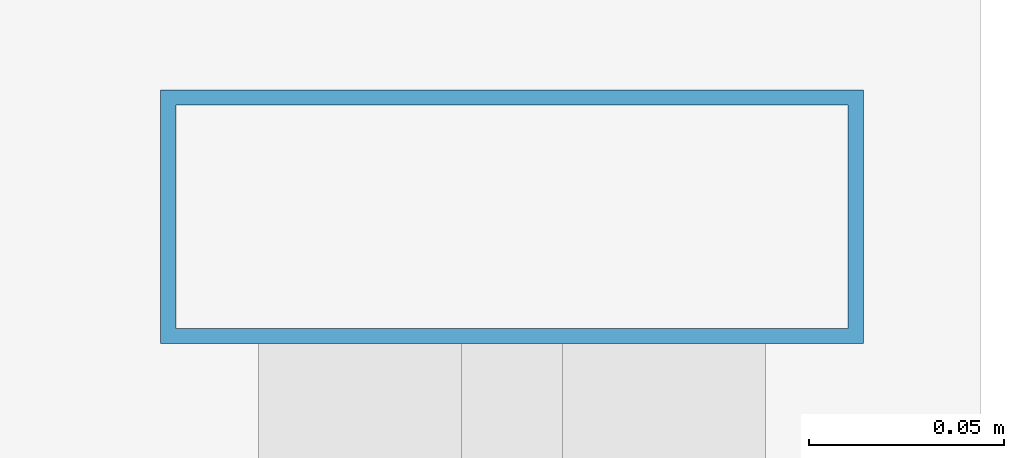
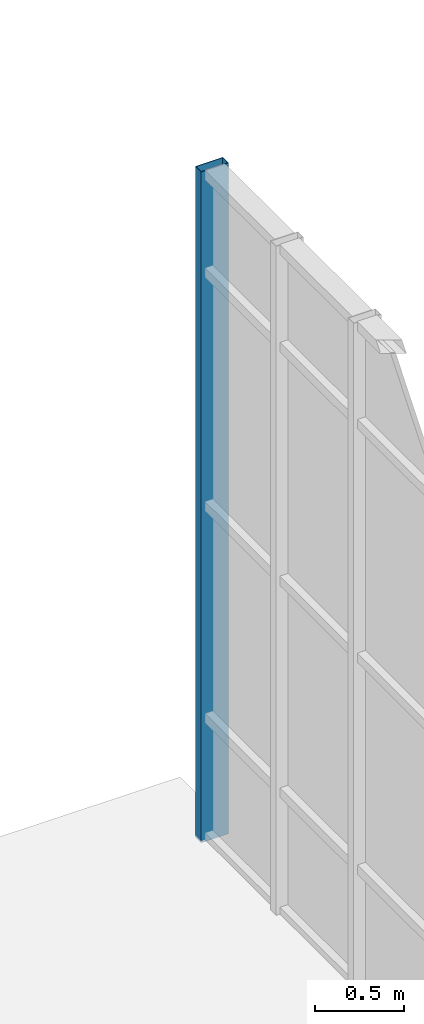
# One storey, part 79 of 189: 1 member, 1 element without a shape of its own.
"""IFC4 building model written with IfcOpenShell, lengths in metres."""

from ifc_helpers import new_model, si_unit, direction, frame, origin, origin_2d, place, context, subcontext, project, spatial, hollow_rectangle, extrude, material, layer, layer_set, material_profile, profile_set, type_object, element, aggregate, save


model = new_model("IFC4")

# Units and contexts
model_context = context("Model", 3, precision=1e-05, world=origin(), true_north=direction((0.0, 1.0)))
body_context = subcontext(model_context, "Body", "Model", "MODEL_VIEW")
ifc_project = project(units=[si_unit("LENGTHUNIT", "METRE"), si_unit("AREAUNIT", "SQUARE_METRE"), si_unit("VOLUMEUNIT", "CUBIC_METRE"), si_unit("PLANEANGLEUNIT", "RADIAN"), si_unit("MASSUNIT", "GRAM", prefix="KILO"), si_unit("THERMODYNAMICTEMPERATUREUNIT", "KELVIN"), si_unit("POWERUNIT", "WATT")], contexts=[model_context])

# Site, building, storey
site_placement = place(None, origin())
site = spatial("IfcSite", under=ifc_project, at=site_placement, CompositionType="ELEMENT")
building_placement = place(site_placement, origin())
building = spatial("IfcBuilding", under=site, at=building_placement, Name="Zelmaris Science Centre", CompositionType="ELEMENT")
storey_placement = place(building_placement, origin())
storey = spatial("IfcBuildingStorey", under=building, at=storey_placement, Name="L00", CompositionType="ELEMENT", Elevation=0.0)

# Curtain wall, member
ifc_material = material(Name="Anodised architectural aluminium 6063-T6", Category="aluminium")
ifc_layer = layer(ifc_material, 0.2099609375, Name="Anodised architectural aluminium 6063-T6")
ifc_layer_set = layer_set([ifc_layer], Name="Anodised architectural aluminium 6063-T6")
curtain_wall_type = type_object("IfcCurtainWallType", Name="Curtain Wall CW-03", PredefinedType="USERDEFINED", material=ifc_layer_set)
curtain_wall_placement = place(storey_placement, origin())
curtain_wall = element("IfcCurtainWall", 1, at=curtain_wall_placement, inside=storey, type_object=curtain_wall_type, Name="L00 Unitised curtain wall 91", ObjectType="GLAZED CURTAIN WALL", PredefinedType="USERDEFINED")
ifc_material_profile = material_profile(ifc_material, hollow_rectangle(XDim=0.06494140625, YDim=0.179931640625, WallThickness=0.00390625, at=origin_2d()), Name="ALU-MUL-65X180")
ifc_profile_set = profile_set([ifc_material_profile], Name="Anodised architectural aluminium 6063-T6")
member_type = type_object("IfcMemberType", Name="ALU-MUL-65X180", PredefinedType="MULLION", material=ifc_profile_set)
member_placement = place(storey_placement, frame((115.8798828125, 65.431396484375, -0.014892578125), z_axis=(0.0, 0.0, 1.0), x_axis=(6.981317e-06, -0.999999999976, 0.0)))
member = element("IfcMember", 2, at=member_placement, type_object=member_type, Name="CW-03 mullion 1", PredefinedType="MULLION", context=body_context, shape_type="SweptSolid", body=[
    extrude(hollow_rectangle(XDim=0.06494140625, YDim=0.179931640625, WallThickness=0.00390625, at=origin_2d()), origin(), (0.0, 0.0, 1.0), 4.614990234375),
])
aggregate(curtain_wall, [member])

save(model, "model.ifc")
